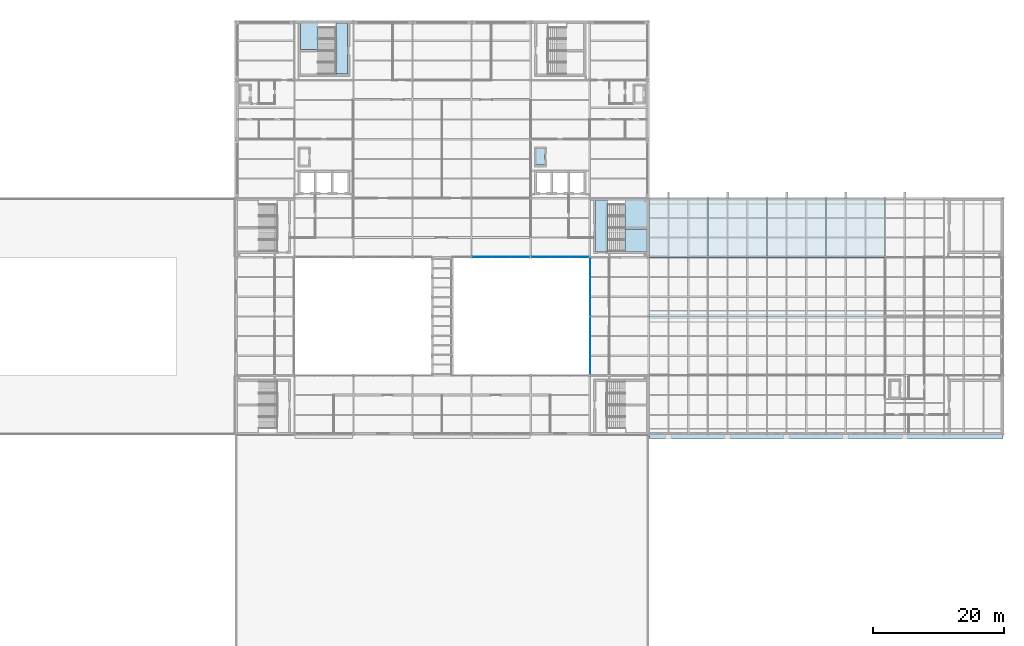
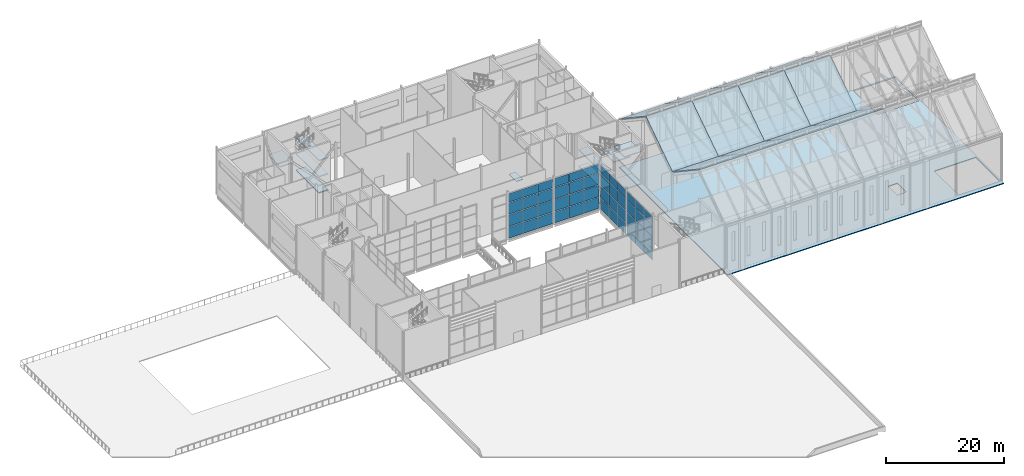
# One storey, part 83 of 111: 48 plates, 24 slabs, 6 elements without a shape of their own.
"""IFC4 building model written with IfcOpenShell, lengths in metres."""

import ifcopenshell
import ifcopenshell.guid

model = None  # the IFC model being written
_history = None  # IfcOwnerHistory: only IFC2X3 demands one
_inside = {}  # id of a spatial element -> (the spatial element, [elements in it])
_under = {}  # id of a project, library or spatial element -> (it, [spatial elements below it])
_declared = {}  # id of a project -> (the project, [libraries it declares])
_typed = {}  # id of a type object -> (the type object, [elements of that type])
_made_of = {}  # id of a material, layer set ... -> (it, [elements and type objects made of it])


def new_model(schema):
    """Start an empty IFC model of exactly this schema.

    Asked for "IFC4X3", IfcOpenShell would pick the latest addendum, in which some entities
    have other attributes; the version numbers below select the first issue.
    IFC2X3 requires an IfcOwnerHistory on every rooted entity: one is made here for all.
    """
    global model, _history
    if schema == "IFC4X3":
        model = ifcopenshell.file(schema_version=(4, 3, 0, 0))
    else:
        model = ifcopenshell.file(schema=schema)
    _inside.clear()
    _under.clear()
    _declared.clear()
    _typed.clear()
    _made_of.clear()
    _history = None
    if model.schema == "IFC2X3":
        org = make("IfcOrganization", Name="unknown")
        user = make(
            "IfcPersonAndOrganization",
            ThePerson=make("IfcPerson", FamilyName="unknown"),
            TheOrganization=org,
        )
        app = make(
            "IfcApplication",
            ApplicationDeveloper=org,
            Version="unknown",
            ApplicationFullName="unknown",
            ApplicationIdentifier="unknown",
        )
        _history = make(
            "IfcOwnerHistory",
            OwningUser=user,
            OwningApplication=app,
            ChangeAction="ADDED",
            CreationDate=0,
        )
    return model


def make(cls, **values):
    """One entity of the class cls with the attributes given. An attribute that is None is left unset."""
    return model.create_entity(
        cls, **{name: value for name, value in values.items() if value is not None}
    )


def rooted(cls, **values):
    """An entity with a GlobalId (a new one), such as an element, a storey or a relation."""
    return make(cls, GlobalId=ifcopenshell.guid.new(), OwnerHistory=_history, **values)


def si_unit(unit_type, name, prefix=None):
    """IfcSIUnit, for example si_unit("LENGTHUNIT", "METRE", prefix="MILLI")."""
    return make("IfcSIUnit", UnitType=unit_type, Prefix=prefix, Name=name)


def assignment(units):
    """IfcUnitAssignment: the units of a project."""
    return None if units is None else make("IfcUnitAssignment", Units=units)


def point(xyz):
    """IfcCartesianPoint."""
    return None if xyz is None else make("IfcCartesianPoint", Coordinates=xyz)


def direction(xyz):
    """IfcDirection."""
    return None if xyz is None else make("IfcDirection", DirectionRatios=xyz)


def frame(location, z_axis=None, x_axis=None):
    """IfcAxis2Placement3D, a coordinate frame: its origin and axes. An axis left out is left unset."""
    return make(
        "IfcAxis2Placement3D",
        Location=point(location),
        Axis=direction(z_axis),
        RefDirection=direction(x_axis),
    )


def frame_2d(location, x_axis=None):
    """IfcAxis2Placement2D, a coordinate frame in the plane: its origin and x axis."""
    return make(
        "IfcAxis2Placement2D", Location=point(location), RefDirection=direction(x_axis)
    )


def origin():
    """The frame at (0, 0, 0) with its axes left unset."""
    return frame((0.0, 0.0, 0.0))


def origin_2d():
    """The frame at (0, 0) in the plane with its x axis left unset."""
    return frame_2d((0.0, 0.0))


def place(relative_to, where):
    """IfcLocalPlacement: puts the frame where relative to a parent placement (None: the world)."""
    return make(
        "IfcLocalPlacement", PlacementRelTo=relative_to, RelativePlacement=where
    )


def context(
    kind, dimensions, precision=None, world=None, true_north=None, identifier=None
):
    """IfcGeometricRepresentationContext, for example the 3D "Model" context."""
    return make(
        "IfcGeometricRepresentationContext",
        ContextIdentifier=identifier,
        ContextType=kind,
        CoordinateSpaceDimension=dimensions,
        Precision=precision,
        WorldCoordinateSystem=world,
        TrueNorth=true_north,
    )


def subcontext(parent, identifier, kind, view, scale=None):
    """IfcGeometricRepresentationSubContext, for example "Body" below "Model"."""
    return make(
        "IfcGeometricRepresentationSubContext",
        ContextIdentifier=identifier,
        ContextType=kind,
        ParentContext=parent,
        TargetScale=scale,
        TargetView=view,
    )


def project(units=None, contexts=None):
    """IfcProject with its units and contexts."""
    return rooted(
        "IfcProject",
        Name="project",
        RepresentationContexts=contexts,
        UnitsInContext=assignment(units),
    )


def spatial(cls, under=None, at=None, **own):
    """A site, building, storey or space (cls), placed at a placement, below another one or the project."""
    s = rooted(cls, ObjectPlacement=at, **own)
    if under is not None:
        _under.setdefault(under.id(), (under, []))[1].append(s)
    return s


def polyline(points):
    """IfcPolyline through the points."""
    return make("IfcPolyline", Points=[point(p) for p in points])


def profile(cls, at=None, kind="AREA", **sizes):
    """A parametric profile (cls). Its sizes go by their IFC names, for example OverallWidth=200.0."""
    return make(cls, ProfileType=kind, Position=at, **sizes)


def rectangle(**sizes):
    """IfcRectangleProfileDef."""
    return profile("IfcRectangleProfileDef", **sizes)


def outline(outer, holes=None, kind="AREA"):
    """IfcArbitraryClosedProfileDef: a profile drawn as a closed curve; with holes, ...WithVoids."""
    if holes is None:
        return make("IfcArbitraryClosedProfileDef", ProfileType=kind, OuterCurve=outer)
    return make(
        "IfcArbitraryProfileDefWithVoids",
        ProfileType=kind,
        OuterCurve=outer,
        InnerCurves=holes,
    )


def extrude(swept, where, along, depth):
    """IfcExtrudedAreaSolid: the profile swept, set in the frame where, extruded along a direction by depth."""
    return make(
        "IfcExtrudedAreaSolid",
        SweptArea=swept,
        Position=where,
        ExtrudedDirection=direction(along),
        Depth=depth,
    )


def shape(context_of_items, identifier, shape_type, items):
    """IfcShapeRepresentation: the items that make up one representation, for example the "Body"."""
    return make(
        "IfcShapeRepresentation",
        ContextOfItems=context_of_items,
        RepresentationIdentifier=identifier,
        RepresentationType=shape_type,
        Items=items,
    )


def material(Name=None, Category=None):
    """IfcMaterial."""
    return make("IfcMaterial", Name=Name, Category=Category)


def layer(
    of_material, thickness, ventilated=None, Name=None, Category=None, Priority=None
):
    """IfcMaterialLayer: one layer of a wall or slab, of a material (None: an air gap)."""
    return make(
        "IfcMaterialLayer",
        Material=of_material,
        LayerThickness=thickness,
        IsVentilated=ventilated,
        Name=Name,
        Category=Category,
        Priority=Priority,
    )


def layer_set(layers, Name=None):
    """IfcMaterialLayerSet."""
    return make("IfcMaterialLayerSet", MaterialLayers=layers, LayerSetName=Name)


def made_of(thing, what):
    """Note that an element or type object is made of a material, layer set ...; save() writes the relation."""
    if what is not None:
        _made_of.setdefault(what.id(), (what, []))[1].append(thing)
    return thing


def type_object(cls, material=None, **own):
    """A type object (cls), such as IfcWallType, which elements share."""
    return made_of(rooted(cls, **own), material)


def element(
    cls,
    number,
    at=None,
    inside=None,
    cuts=None,
    type_object=None,
    material=None,
    context=None,
    identifier="Body",
    shape_type=None,
    held_by="IfcProductDefinitionShape",
    body=None,
    shapes=None,
    **own,
):
    """One element of the class cls, such as IfcWall. Its Tag is "e" and its number.

    at: its placement. inside: the storey or other place that contains it. cuts: it is an
    opening in that element (IfcRelVoidsElement). A single representation is given by context,
    identifier, shape_type and body (its items); several are given by shapes. held_by: the class
    of the entity that holds the representations. save() writes the other relations.
    """
    e = rooted(cls, Tag="e%d" % number, ObjectPlacement=at, **own)
    if body is not None:
        shapes = [shape(context, identifier, shape_type, body)]
    if shapes is not None:
        e.Representation = make(held_by, Representations=shapes)
    if inside is not None:
        _inside.setdefault(inside.id(), (inside, []))[1].append(e)
    if cuts is not None:
        rooted(
            "IfcRelVoidsElement", RelatingBuildingElement=cuts, RelatedOpeningElement=e
        )
    if type_object is not None:
        _typed.setdefault(type_object.id(), (type_object, []))[1].append(e)
    return made_of(e, material)


def aggregate(whole, parts):
    """IfcRelAggregates: a whole, such as a stair, and the parts it consists of."""
    return rooted("IfcRelAggregates", RelatingObject=whole, RelatedObjects=parts)


def save(model, path):
    """Write the relations noted so far, then the file.

    IfcRelAggregates (storeys below a building ...), IfcRelContainedInSpatialStructure (elements
    in a storey), IfcRelDefinesByType, IfcRelAssociatesMaterial and IfcRelDeclares: one each for
    every whole, place, type object, material and project.
    """
    for whole, parts in _under.values():
        aggregate(whole, parts)
    for where, things in _inside.values():
        rooted(
            "IfcRelContainedInSpatialStructure",
            RelatedElements=things,
            RelatingStructure=where,
        )
    for kind, things in _typed.values():
        rooted("IfcRelDefinesByType", RelatedObjects=things, RelatingType=kind)
    for what, things in _made_of.values():
        rooted("IfcRelAssociatesMaterial", RelatedObjects=things, RelatingMaterial=what)
    for by, libraries in _declared.values():
        rooted("IfcRelDeclares", RelatingContext=by, RelatedDefinitions=libraries)
    model.write(path)


model = new_model("IFC4")

# Units and contexts
model_context = context("Model", 3, precision=1e-05, world=origin(), true_north=direction((0.0, 1.0)))
body_context = subcontext(model_context, "Body", "Model", "MODEL_VIEW")
ifc_project = project(units=[si_unit("LENGTHUNIT", "METRE"), si_unit("AREAUNIT", "SQUARE_METRE"), si_unit("VOLUMEUNIT", "CUBIC_METRE"), si_unit("PLANEANGLEUNIT", "RADIAN"), si_unit("MASSUNIT", "GRAM", prefix="KILO")], contexts=[model_context])

# Site, building, storey
site_placement = place(None, origin())
site = spatial("IfcSite", under=ifc_project, at=site_placement, CompositionType="ELEMENT")
building_placement = place(site_placement, origin())
building = spatial("IfcBuilding", under=site, at=building_placement, Name="Shorebreak Coast Museum", CompositionType="ELEMENT")
storey_placement = place(building_placement, frame((0.0, 0.0, 16.0)))
storey = spatial("IfcBuildingStorey", under=building, at=storey_placement, Name="L03", CompositionType="ELEMENT", Elevation=16.0)

# Curtain wall, plates
ifc_material_1 = material(Name="Aluminium", Category="aluminium")
ifc_layer_1 = layer(ifc_material_1, 0.1201171875)
ifc_layer_set_1 = layer_set([ifc_layer_1], Name="Aluminium")
curtain_wall_type = type_object("IfcCurtainWallType", Name="Atrium fire screen", PredefinedType="NOTDEFINED", material=ifc_layer_set_1)
curtain_wall_1_placement = place(storey_placement, origin())
curtain_wall_1 = element("IfcCurtainWall", 1, at=curtain_wall_1_placement, inside=storey, type_object=curtain_wall_type, Name="Atrium screen L03 N 43", PredefinedType="NOTDEFINED")
ifc_material_2 = material(Name="Glass", Category="glass")
ifc_layer_2 = layer(ifc_material_2, 0.034912109375)
ifc_layer_set_2 = layer_set([ifc_layer_2], Name="Glass")
plate_type = type_object("IfcPlateType", Name="Fire-resisting glass panel 35", PredefinedType="CURTAIN_PANEL", material=ifc_layer_set_2)
plate_1_placement = place(storey_placement, frame((91.615478515625, 81.06005859375, 0.1201171875), z_axis=(0.0, 0.0, 1.0), x_axis=(1.0, 0.0, 0.0)))
plate_1 = element("IfcPlate", 2, at=plate_1_placement, type_object=plate_type, Name="CW5 panel 1.1", PredefinedType="CURTAIN_PANEL", context=body_context, shape_type="SweptSolid", body=[
    extrude(rectangle(XDim=2.822021484375, YDim=0.034912109375, at=origin_2d()), origin(), (0.0, 0.0, 1.0), 2.320068359375),
])
plate_2_placement = place(storey_placement, frame((91.615478515625, 81.06005859375, 2.56005859375), z_axis=(0.0, 0.0, 1.0), x_axis=(1.0, 0.0, 0.0)))
plate_2 = element("IfcPlate", 3, at=plate_2_placement, type_object=plate_type, Name="CW5 panel 1.2", PredefinedType="CURTAIN_PANEL", context=body_context, shape_type="SweptSolid", body=[
    extrude(rectangle(XDim=2.822021484375, YDim=0.034912109375, at=origin_2d()), origin(), (0.0, 0.0, 1.0), 2.3798828125),
])
plate_3_placement = place(storey_placement, frame((91.615478515625, 81.06005859375, 5.06005859375), z_axis=(0.0, 0.0, 1.0), x_axis=(1.0, 0.0, 0.0)))
plate_3 = element("IfcPlate", 4, at=plate_3_placement, type_object=plate_type, Name="CW5 panel 1.3", PredefinedType="CURTAIN_PANEL", context=body_context, shape_type="SweptSolid", body=[
    extrude(rectangle(XDim=2.822021484375, YDim=0.034912109375, at=origin_2d()), origin(), (0.0, 0.0, 1.0), 2.3798828125),
])
plate_4_placement = place(storey_placement, frame((91.615478515625, 81.06005859375, 7.56005859375), z_axis=(0.0, 0.0, 1.0), x_axis=(1.0, 0.0, 0.0)))
plate_4 = element("IfcPlate", 5, at=plate_4_placement, type_object=plate_type, Name="CW5 panel 1.4", PredefinedType="CURTAIN_PANEL", context=body_context, shape_type="SweptSolid", body=[
    extrude(rectangle(XDim=2.822021484375, YDim=0.034912109375, at=origin_2d()), origin(), (0.0, 0.0, 1.0), 1.742431640625),
])
plate_5_placement = place(storey_placement, frame((94.5, 81.06005859375, 0.1201171875), z_axis=(0.0, 0.0, 1.0), x_axis=(1.0, 0.0, 0.0)))
plate_5 = element("IfcPlate", 6, at=plate_5_placement, type_object=plate_type, Name="CW5 panel 2.1", PredefinedType="CURTAIN_PANEL", context=body_context, shape_type="SweptSolid", body=[
    extrude(rectangle(XDim=2.846923828125, YDim=0.034912109375, at=origin_2d()), origin(), (0.0, 0.0, 1.0), 2.320068359375),
])
plate_6_placement = place(storey_placement, frame((94.5, 81.06005859375, 2.56005859375), z_axis=(0.0, 0.0, 1.0), x_axis=(1.0, 0.0, 0.0)))
plate_6 = element("IfcPlate", 7, at=plate_6_placement, type_object=plate_type, Name="CW5 panel 2.2", PredefinedType="CURTAIN_PANEL", context=body_context, shape_type="SweptSolid", body=[
    extrude(rectangle(XDim=2.846923828125, YDim=0.034912109375, at=origin_2d()), origin(), (0.0, 0.0, 1.0), 2.3798828125),
])
plate_7_placement = place(storey_placement, frame((94.5, 81.06005859375, 5.06005859375), z_axis=(0.0, 0.0, 1.0), x_axis=(1.0, 0.0, 0.0)))
plate_7 = element("IfcPlate", 8, at=plate_7_placement, type_object=plate_type, Name="CW5 panel 2.3", PredefinedType="CURTAIN_PANEL", context=body_context, shape_type="SweptSolid", body=[
    extrude(rectangle(XDim=2.846923828125, YDim=0.034912109375, at=origin_2d()), origin(), (0.0, 0.0, 1.0), 2.3798828125),
])
plate_8_placement = place(storey_placement, frame((94.5, 81.06005859375, 7.56005859375), z_axis=(0.0, 0.0, 1.0), x_axis=(1.0, 0.0, 0.0)))
plate_8 = element("IfcPlate", 9, at=plate_8_placement, type_object=plate_type, Name="CW5 panel 2.4", PredefinedType="CURTAIN_PANEL", context=body_context, shape_type="SweptSolid", body=[
    extrude(rectangle(XDim=2.846923828125, YDim=0.034912109375, at=origin_2d()), origin(), (0.0, 0.0, 1.0), 1.742431640625),
])
plate_9_placement = place(storey_placement, frame((97.384521484375, 81.06005859375, 0.1201171875), z_axis=(0.0, 0.0, 1.0), x_axis=(1.0, 0.0, 0.0)))
plate_9 = element("IfcPlate", 10, at=plate_9_placement, type_object=plate_type, Name="CW5 panel 3.1", PredefinedType="CURTAIN_PANEL", context=body_context, shape_type="SweptSolid", body=[
    extrude(rectangle(XDim=2.822021484375, YDim=0.034912109375, at=origin_2d()), origin(), (0.0, 0.0, 1.0), 2.320068359375),
])
plate_10_placement = place(storey_placement, frame((97.384521484375, 81.06005859375, 2.56005859375), z_axis=(0.0, 0.0, 1.0), x_axis=(1.0, 0.0, 0.0)))
plate_10 = element("IfcPlate", 11, at=plate_10_placement, type_object=plate_type, Name="CW5 panel 3.2", PredefinedType="CURTAIN_PANEL", context=body_context, shape_type="SweptSolid", body=[
    extrude(rectangle(XDim=2.822021484375, YDim=0.034912109375, at=origin_2d()), origin(), (0.0, 0.0, 1.0), 2.3798828125),
])
plate_11_placement = place(storey_placement, frame((97.384521484375, 81.06005859375, 5.06005859375), z_axis=(0.0, 0.0, 1.0), x_axis=(1.0, 0.0, 0.0)))
plate_11 = element("IfcPlate", 12, at=plate_11_placement, type_object=plate_type, Name="CW5 panel 3.3", PredefinedType="CURTAIN_PANEL", context=body_context, shape_type="SweptSolid", body=[
    extrude(rectangle(XDim=2.822021484375, YDim=0.034912109375, at=origin_2d()), origin(), (0.0, 0.0, 1.0), 2.3798828125),
])
plate_12_placement = place(storey_placement, frame((97.384521484375, 81.06005859375, 7.56005859375), z_axis=(0.0, 0.0, 1.0), x_axis=(1.0, 0.0, 0.0)))
plate_12 = element("IfcPlate", 13, at=plate_12_placement, type_object=plate_type, Name="CW5 panel 3.4", PredefinedType="CURTAIN_PANEL", context=body_context, shape_type="SweptSolid", body=[
    extrude(rectangle(XDim=2.822021484375, YDim=0.034912109375, at=origin_2d()), origin(), (0.0, 0.0, 1.0), 1.742431640625),
])
aggregate(curtain_wall_1, [plate_1, plate_2, plate_3, plate_4, plate_5, plate_6, plate_7, plate_8, plate_9, plate_10, plate_11, plate_12])

curtain_wall_2_placement = place(storey_placement, origin())
curtain_wall_2 = element("IfcCurtainWall", 14, at=curtain_wall_2_placement, inside=storey, type_object=curtain_wall_type, Name="Atrium screen L03 N 44", PredefinedType="NOTDEFINED")
plate_13_placement = place(storey_placement, frame((100.615478515625, 81.06005859375, 0.1201171875), z_axis=(0.0, 0.0, 1.0), x_axis=(1.0, 0.0, 0.0)))
plate_13 = element("IfcPlate", 15, at=plate_13_placement, type_object=plate_type, Name="CW6 panel 1.1", PredefinedType="CURTAIN_PANEL", context=body_context, shape_type="SweptSolid", body=[
    extrude(rectangle(XDim=2.822021484375, YDim=0.034912109375, at=origin_2d()), origin(), (0.0, 0.0, 1.0), 2.320068359375),
])
plate_14_placement = place(storey_placement, frame((100.615478515625, 81.06005859375, 2.56005859375), z_axis=(0.0, 0.0, 1.0), x_axis=(1.0, 0.0, 0.0)))
plate_14 = element("IfcPlate", 16, at=plate_14_placement, type_object=plate_type, Name="CW6 panel 1.2", PredefinedType="CURTAIN_PANEL", context=body_context, shape_type="SweptSolid", body=[
    extrude(rectangle(XDim=2.822021484375, YDim=0.034912109375, at=origin_2d()), origin(), (0.0, 0.0, 1.0), 2.3798828125),
])
plate_15_placement = place(storey_placement, frame((100.615478515625, 81.06005859375, 5.06005859375), z_axis=(0.0, 0.0, 1.0), x_axis=(1.0, 0.0, 0.0)))
plate_15 = element("IfcPlate", 17, at=plate_15_placement, type_object=plate_type, Name="CW6 panel 1.3", PredefinedType="CURTAIN_PANEL", context=body_context, shape_type="SweptSolid", body=[
    extrude(rectangle(XDim=2.822021484375, YDim=0.034912109375, at=origin_2d()), origin(), (0.0, 0.0, 1.0), 2.3798828125),
])
plate_16_placement = place(storey_placement, frame((100.615478515625, 81.06005859375, 7.56005859375), z_axis=(0.0, 0.0, 1.0), x_axis=(1.0, 0.0, 0.0)))
plate_16 = element("IfcPlate", 18, at=plate_16_placement, type_object=plate_type, Name="CW6 panel 1.4", PredefinedType="CURTAIN_PANEL", context=body_context, shape_type="SweptSolid", body=[
    extrude(rectangle(XDim=2.822021484375, YDim=0.034912109375, at=origin_2d()), origin(), (0.0, 0.0, 1.0), 1.742431640625),
])
plate_17_placement = place(storey_placement, frame((103.5, 81.06005859375, 0.1201171875), z_axis=(0.0, 0.0, 1.0), x_axis=(1.0, 0.0, 0.0)))
plate_17 = element("IfcPlate", 19, at=plate_17_placement, type_object=plate_type, Name="CW6 panel 2.1", PredefinedType="CURTAIN_PANEL", context=body_context, shape_type="SweptSolid", body=[
    extrude(rectangle(XDim=2.846923828125, YDim=0.034912109375, at=origin_2d()), origin(), (0.0, 0.0, 1.0), 2.320068359375),
])
plate_18_placement = place(storey_placement, frame((103.5, 81.06005859375, 2.56005859375), z_axis=(0.0, 0.0, 1.0), x_axis=(1.0, 0.0, 0.0)))
plate_18 = element("IfcPlate", 20, at=plate_18_placement, type_object=plate_type, Name="CW6 panel 2.2", PredefinedType="CURTAIN_PANEL", context=body_context, shape_type="SweptSolid", body=[
    extrude(rectangle(XDim=2.846923828125, YDim=0.034912109375, at=origin_2d()), origin(), (0.0, 0.0, 1.0), 2.3798828125),
])
plate_19_placement = place(storey_placement, frame((103.5, 81.06005859375, 5.06005859375), z_axis=(0.0, 0.0, 1.0), x_axis=(1.0, 0.0, 0.0)))
plate_19 = element("IfcPlate", 21, at=plate_19_placement, type_object=plate_type, Name="CW6 panel 2.3", PredefinedType="CURTAIN_PANEL", context=body_context, shape_type="SweptSolid", body=[
    extrude(rectangle(XDim=2.846923828125, YDim=0.034912109375, at=origin_2d()), origin(), (0.0, 0.0, 1.0), 2.3798828125),
])
plate_20_placement = place(storey_placement, frame((103.5, 81.06005859375, 7.56005859375), z_axis=(0.0, 0.0, 1.0), x_axis=(1.0, 0.0, 0.0)))
plate_20 = element("IfcPlate", 22, at=plate_20_placement, type_object=plate_type, Name="CW6 panel 2.4", PredefinedType="CURTAIN_PANEL", context=body_context, shape_type="SweptSolid", body=[
    extrude(rectangle(XDim=2.846923828125, YDim=0.034912109375, at=origin_2d()), origin(), (0.0, 0.0, 1.0), 1.742431640625),
])
plate_21_placement = place(storey_placement, frame((106.384521484375, 81.06005859375, 0.1201171875), z_axis=(0.0, 0.0, 1.0), x_axis=(1.0, 0.0, 0.0)))
plate_21 = element("IfcPlate", 23, at=plate_21_placement, type_object=plate_type, Name="CW6 panel 3.1", PredefinedType="CURTAIN_PANEL", context=body_context, shape_type="SweptSolid", body=[
    extrude(rectangle(XDim=2.822021484375, YDim=0.034912109375, at=origin_2d()), origin(), (0.0, 0.0, 1.0), 2.320068359375),
])
plate_22_placement = place(storey_placement, frame((106.384521484375, 81.06005859375, 2.56005859375), z_axis=(0.0, 0.0, 1.0), x_axis=(1.0, 0.0, 0.0)))
plate_22 = element("IfcPlate", 24, at=plate_22_placement, type_object=plate_type, Name="CW6 panel 3.2", PredefinedType="CURTAIN_PANEL", context=body_context, shape_type="SweptSolid", body=[
    extrude(rectangle(XDim=2.822021484375, YDim=0.034912109375, at=origin_2d()), origin(), (0.0, 0.0, 1.0), 2.3798828125),
])
plate_23_placement = place(storey_placement, frame((106.384521484375, 81.06005859375, 5.06005859375), z_axis=(0.0, 0.0, 1.0), x_axis=(1.0, 0.0, 0.0)))
plate_23 = element("IfcPlate", 25, at=plate_23_placement, type_object=plate_type, Name="CW6 panel 3.3", PredefinedType="CURTAIN_PANEL", context=body_context, shape_type="SweptSolid", body=[
    extrude(rectangle(XDim=2.822021484375, YDim=0.034912109375, at=origin_2d()), origin(), (0.0, 0.0, 1.0), 2.3798828125),
])
plate_24_placement = place(storey_placement, frame((106.384521484375, 81.06005859375, 7.56005859375), z_axis=(0.0, 0.0, 1.0), x_axis=(1.0, 0.0, 0.0)))
plate_24 = element("IfcPlate", 26, at=plate_24_placement, type_object=plate_type, Name="CW6 panel 3.4", PredefinedType="CURTAIN_PANEL", context=body_context, shape_type="SweptSolid", body=[
    extrude(rectangle(XDim=2.822021484375, YDim=0.034912109375, at=origin_2d()), origin(), (0.0, 0.0, 1.0), 1.742431640625),
])
aggregate(curtain_wall_2, [plate_13, plate_14, plate_15, plate_16, plate_17, plate_18, plate_19, plate_20, plate_21, plate_22, plate_23, plate_24])

curtain_wall_3_placement = place(storey_placement, origin())
curtain_wall_3 = element("IfcCurtainWall", 27, at=curtain_wall_3_placement, inside=storey, type_object=curtain_wall_type, Name="Atrium screen L03 E 47", PredefinedType="NOTDEFINED")
plate_25_placement = place(storey_placement, frame((108.06005859375, 64.63427734375, 0.1201171875), z_axis=(0.0, 0.0, 1.0), x_axis=(0.0, 1.0, 0.0)))
plate_25 = element("IfcPlate", 28, at=plate_25_placement, type_object=plate_type, Name="CW6 panel 1.1", PredefinedType="CURTAIN_PANEL", context=body_context, shape_type="SweptSolid", body=[
    extrude(rectangle(XDim=2.81201171875, YDim=0.034912109375, at=origin_2d()), origin(), (0.0, 0.0, 1.0), 2.320068359375),
])
plate_26_placement = place(storey_placement, frame((108.06005859375, 64.63427734375, 2.56005859375), z_axis=(0.0, 0.0, 1.0), x_axis=(0.0, 1.0, 0.0)))
plate_26 = element("IfcPlate", 29, at=plate_26_placement, type_object=plate_type, Name="CW6 panel 1.2", PredefinedType="CURTAIN_PANEL", context=body_context, shape_type="SweptSolid", body=[
    extrude(rectangle(XDim=2.81201171875, YDim=0.034912109375, at=origin_2d()), origin(), (0.0, 0.0, 1.0), 2.3798828125),
])
plate_27_placement = place(storey_placement, frame((108.06005859375, 64.63427734375, 5.06005859375), z_axis=(0.0, 0.0, 1.0), x_axis=(0.0, 1.0, 0.0)))
plate_27 = element("IfcPlate", 30, at=plate_27_placement, type_object=plate_type, Name="CW6 panel 1.3", PredefinedType="CURTAIN_PANEL", context=body_context, shape_type="SweptSolid", body=[
    extrude(rectangle(XDim=2.81201171875, YDim=0.034912109375, at=origin_2d()), origin(), (0.0, 0.0, 1.0), 2.3798828125),
])
plate_28_placement = place(storey_placement, frame((108.06005859375, 64.63427734375, 7.56005859375), z_axis=(0.0, 0.0, 1.0), x_axis=(0.0, 1.0, 0.0)))
plate_28 = element("IfcPlate", 31, at=plate_28_placement, type_object=plate_type, Name="CW6 panel 1.4", PredefinedType="CURTAIN_PANEL", context=body_context, shape_type="SweptSolid", body=[
    extrude(rectangle(XDim=2.81201171875, YDim=0.034912109375, at=origin_2d()), origin(), (0.0, 0.0, 1.0), 1.61669921875),
])
plate_29_placement = place(storey_placement, frame((108.06005859375, 67.509033203125, 0.1201171875), z_axis=(0.0, 0.0, 1.0), x_axis=(0.0, 1.0, 0.0)))
plate_29 = element("IfcPlate", 32, at=plate_29_placement, type_object=plate_type, Name="CW6 panel 2.1", PredefinedType="CURTAIN_PANEL", context=body_context, shape_type="SweptSolid", body=[
    extrude(rectangle(XDim=2.837158203125, YDim=0.034912109375, at=origin_2d()), origin(), (0.0, 0.0, 1.0), 2.320068359375),
])
plate_30_placement = place(storey_placement, frame((108.06005859375, 67.509033203125, 2.56005859375), z_axis=(0.0, 0.0, 1.0), x_axis=(0.0, 1.0, 0.0)))
plate_30 = element("IfcPlate", 33, at=plate_30_placement, type_object=plate_type, Name="CW6 panel 2.2", PredefinedType="CURTAIN_PANEL", context=body_context, shape_type="SweptSolid", body=[
    extrude(rectangle(XDim=2.837158203125, YDim=0.034912109375, at=origin_2d()), origin(), (0.0, 0.0, 1.0), 2.3798828125),
])
plate_31_placement = place(storey_placement, frame((108.06005859375, 67.509033203125, 5.06005859375), z_axis=(0.0, 0.0, 1.0), x_axis=(0.0, 1.0, 0.0)))
plate_31 = element("IfcPlate", 34, at=plate_31_placement, type_object=plate_type, Name="CW6 panel 2.3", PredefinedType="CURTAIN_PANEL", context=body_context, shape_type="SweptSolid", body=[
    extrude(rectangle(XDim=2.837158203125, YDim=0.034912109375, at=origin_2d()), origin(), (0.0, 0.0, 1.0), 2.3798828125),
])
plate_32_placement = place(storey_placement, frame((108.06005859375, 67.509033203125, 7.56005859375), z_axis=(0.0, 0.0, 1.0), x_axis=(0.0, 1.0, 0.0)))
plate_32 = element("IfcPlate", 35, at=plate_32_placement, type_object=plate_type, Name="CW6 panel 2.4", PredefinedType="CURTAIN_PANEL", context=body_context, shape_type="SweptSolid", body=[
    extrude(rectangle(XDim=2.837158203125, YDim=0.034912109375, at=origin_2d()), origin(), (0.0, 0.0, 1.0), 1.61669921875),
])
plate_33_placement = place(storey_placement, frame((108.06005859375, 70.383544921875, 0.1201171875), z_axis=(0.0, 0.0, 1.0), x_axis=(0.0, 1.0, 0.0)))
plate_33 = element("IfcPlate", 36, at=plate_33_placement, type_object=plate_type, Name="CW6 panel 3.1", PredefinedType="CURTAIN_PANEL", context=body_context, shape_type="SweptSolid", body=[
    extrude(rectangle(XDim=2.81201171875, YDim=0.034912109375, at=origin_2d()), origin(), (0.0, 0.0, 1.0), 2.320068359375),
])
plate_34_placement = place(storey_placement, frame((108.06005859375, 70.383544921875, 2.56005859375), z_axis=(0.0, 0.0, 1.0), x_axis=(0.0, 1.0, 0.0)))
plate_34 = element("IfcPlate", 37, at=plate_34_placement, type_object=plate_type, Name="CW6 panel 3.2", PredefinedType="CURTAIN_PANEL", context=body_context, shape_type="SweptSolid", body=[
    extrude(rectangle(XDim=2.81201171875, YDim=0.034912109375, at=origin_2d()), origin(), (0.0, 0.0, 1.0), 2.3798828125),
])
plate_35_placement = place(storey_placement, frame((108.06005859375, 70.383544921875, 5.06005859375), z_axis=(0.0, 0.0, 1.0), x_axis=(0.0, 1.0, 0.0)))
plate_35 = element("IfcPlate", 38, at=plate_35_placement, type_object=plate_type, Name="CW6 panel 3.3", PredefinedType="CURTAIN_PANEL", context=body_context, shape_type="SweptSolid", body=[
    extrude(rectangle(XDim=2.81201171875, YDim=0.034912109375, at=origin_2d()), origin(), (0.0, 0.0, 1.0), 2.3798828125),
])
plate_36_placement = place(storey_placement, frame((108.06005859375, 70.383544921875, 7.56005859375), z_axis=(0.0, 0.0, 1.0), x_axis=(0.0, 1.0, 0.0)))
plate_36 = element("IfcPlate", 39, at=plate_36_placement, type_object=plate_type, Name="CW6 panel 3.4", PredefinedType="CURTAIN_PANEL", context=body_context, shape_type="SweptSolid", body=[
    extrude(rectangle(XDim=2.81201171875, YDim=0.034912109375, at=origin_2d()), origin(), (0.0, 0.0, 1.0), 1.61669921875),
])
aggregate(curtain_wall_3, [plate_25, plate_26, plate_27, plate_28, plate_29, plate_30, plate_31, plate_32, plate_33, plate_34, plate_35, plate_36])

curtain_wall_4_placement = place(storey_placement, origin())
curtain_wall_4 = element("IfcCurtainWall", 40, at=curtain_wall_4_placement, inside=storey, type_object=curtain_wall_type, Name="Atrium screen L03 E 48", PredefinedType="NOTDEFINED")
plate_37_placement = place(storey_placement, frame((108.06005859375, 73.616455078125, 0.1201171875), z_axis=(0.0, 0.0, 1.0), x_axis=(0.0, 1.0, 0.0)))
plate_37 = element("IfcPlate", 41, at=plate_37_placement, type_object=plate_type, Name="CW4 panel 1.1", PredefinedType="CURTAIN_PANEL", context=body_context, shape_type="SweptSolid", body=[
    extrude(rectangle(XDim=2.81201171875, YDim=0.034912109375, at=origin_2d()), origin(), (0.0, 0.0, 1.0), 2.320068359375),
])
plate_38_placement = place(storey_placement, frame((108.06005859375, 73.616455078125, 2.56005859375), z_axis=(0.0, 0.0, 1.0), x_axis=(0.0, 1.0, 0.0)))
plate_38 = element("IfcPlate", 42, at=plate_38_placement, type_object=plate_type, Name="CW4 panel 1.2", PredefinedType="CURTAIN_PANEL", context=body_context, shape_type="SweptSolid", body=[
    extrude(rectangle(XDim=2.81201171875, YDim=0.034912109375, at=origin_2d()), origin(), (0.0, 0.0, 1.0), 2.3798828125),
])
plate_39_placement = place(storey_placement, frame((108.06005859375, 73.616455078125, 5.06005859375), z_axis=(0.0, 0.0, 1.0), x_axis=(0.0, 1.0, 0.0)))
plate_39 = element("IfcPlate", 43, at=plate_39_placement, type_object=plate_type, Name="CW4 panel 1.3", PredefinedType="CURTAIN_PANEL", context=body_context, shape_type="SweptSolid", body=[
    extrude(rectangle(XDim=2.81201171875, YDim=0.034912109375, at=origin_2d()), origin(), (0.0, 0.0, 1.0), 2.3798828125),
])
plate_40_placement = place(storey_placement, frame((108.06005859375, 73.616455078125, 7.56005859375), z_axis=(0.0, 0.0, 1.0), x_axis=(0.0, 1.0, 0.0)))
plate_40 = element("IfcPlate", 44, at=plate_40_placement, type_object=plate_type, Name="CW4 panel 1.4", PredefinedType="CURTAIN_PANEL", context=body_context, shape_type="SweptSolid", body=[
    extrude(rectangle(XDim=2.81201171875, YDim=0.034912109375, at=origin_2d()), origin(), (0.0, 0.0, 1.0), 1.61669921875),
])
plate_41_placement = place(storey_placement, frame((108.06005859375, 76.490966796875, 0.1201171875), z_axis=(0.0, 0.0, 1.0), x_axis=(0.0, 1.0, 0.0)))
plate_41 = element("IfcPlate", 45, at=plate_41_placement, type_object=plate_type, Name="CW4 panel 2.1", PredefinedType="CURTAIN_PANEL", context=body_context, shape_type="SweptSolid", body=[
    extrude(rectangle(XDim=2.837158203125, YDim=0.034912109375, at=origin_2d()), origin(), (0.0, 0.0, 1.0), 2.320068359375),
])
plate_42_placement = place(storey_placement, frame((108.06005859375, 76.490966796875, 2.56005859375), z_axis=(0.0, 0.0, 1.0), x_axis=(0.0, 1.0, 0.0)))
plate_42 = element("IfcPlate", 46, at=plate_42_placement, type_object=plate_type, Name="CW4 panel 2.2", PredefinedType="CURTAIN_PANEL", context=body_context, shape_type="SweptSolid", body=[
    extrude(rectangle(XDim=2.837158203125, YDim=0.034912109375, at=origin_2d()), origin(), (0.0, 0.0, 1.0), 2.3798828125),
])
plate_43_placement = place(storey_placement, frame((108.06005859375, 76.490966796875, 5.06005859375), z_axis=(0.0, 0.0, 1.0), x_axis=(0.0, 1.0, 0.0)))
plate_43 = element("IfcPlate", 47, at=plate_43_placement, type_object=plate_type, Name="CW4 panel 2.3", PredefinedType="CURTAIN_PANEL", context=body_context, shape_type="SweptSolid", body=[
    extrude(rectangle(XDim=2.837158203125, YDim=0.034912109375, at=origin_2d()), origin(), (0.0, 0.0, 1.0), 2.3798828125),
])
plate_44_placement = place(storey_placement, frame((108.06005859375, 76.490966796875, 7.56005859375), z_axis=(0.0, 0.0, 1.0), x_axis=(0.0, 1.0, 0.0)))
plate_44 = element("IfcPlate", 48, at=plate_44_placement, type_object=plate_type, Name="CW4 panel 2.4", PredefinedType="CURTAIN_PANEL", context=body_context, shape_type="SweptSolid", body=[
    extrude(rectangle(XDim=2.837158203125, YDim=0.034912109375, at=origin_2d()), origin(), (0.0, 0.0, 1.0), 1.61669921875),
])
plate_45_placement = place(storey_placement, frame((108.06005859375, 79.36572265625, 0.1201171875), z_axis=(0.0, 0.0, 1.0), x_axis=(0.0, 1.0, 0.0)))
plate_45 = element("IfcPlate", 49, at=plate_45_placement, type_object=plate_type, Name="CW4 panel 3.1", PredefinedType="CURTAIN_PANEL", context=body_context, shape_type="SweptSolid", body=[
    extrude(rectangle(XDim=2.81201171875, YDim=0.034912109375, at=origin_2d()), origin(), (0.0, 0.0, 1.0), 2.320068359375),
])
plate_46_placement = place(storey_placement, frame((108.06005859375, 79.36572265625, 2.56005859375), z_axis=(0.0, 0.0, 1.0), x_axis=(0.0, 1.0, 0.0)))
plate_46 = element("IfcPlate", 50, at=plate_46_placement, type_object=plate_type, Name="CW4 panel 3.2", PredefinedType="CURTAIN_PANEL", context=body_context, shape_type="SweptSolid", body=[
    extrude(rectangle(XDim=2.81201171875, YDim=0.034912109375, at=origin_2d()), origin(), (0.0, 0.0, 1.0), 2.3798828125),
])
plate_47_placement = place(storey_placement, frame((108.06005859375, 79.36572265625, 5.06005859375), z_axis=(0.0, 0.0, 1.0), x_axis=(0.0, 1.0, 0.0)))
plate_47 = element("IfcPlate", 51, at=plate_47_placement, type_object=plate_type, Name="CW4 panel 3.3", PredefinedType="CURTAIN_PANEL", context=body_context, shape_type="SweptSolid", body=[
    extrude(rectangle(XDim=2.81201171875, YDim=0.034912109375, at=origin_2d()), origin(), (0.0, 0.0, 1.0), 2.3798828125),
])
plate_48_placement = place(storey_placement, frame((108.06005859375, 79.36572265625, 7.56005859375), z_axis=(0.0, 0.0, 1.0), x_axis=(0.0, 1.0, 0.0)))
plate_48 = element("IfcPlate", 52, at=plate_48_placement, type_object=plate_type, Name="CW4 panel 3.4", PredefinedType="CURTAIN_PANEL", context=body_context, shape_type="SweptSolid", body=[
    extrude(rectangle(XDim=2.81201171875, YDim=0.034912109375, at=origin_2d()), origin(), (0.0, 0.0, 1.0), 1.61669921875),
])
aggregate(curtain_wall_4, [plate_37, plate_38, plate_39, plate_40, plate_41, plate_42, plate_43, plate_44, plate_45, plate_46, plate_47, plate_48])

# Slabs
ifc_material_3 = material(Name="Concrete N40 (40 MPa)", Category="concrete")
ifc_layer_3 = layer(ifc_material_3, 0.175048828125)
ifc_layer_set_3 = layer_set([ifc_layer_3], Name="Concrete N40 (40 MPa)")
slab_type_1 = type_object("IfcSlabType", Name="Floor slab 175 concrete N40", PredefinedType="FLOOR", material=ifc_layer_set_3)
slab_1_placement = place(storey_placement, frame((0.0, 0.0, -0.175048828125)))
element("IfcSlab", 53, at=slab_1_placement, inside=storey, type_object=slab_type_1, Name="Floor slab L03 east arm", PredefinedType="FLOOR", context=body_context, shape_type="SweptSolid", body=[
    extrude(outline(polyline([(171.0, 53.39990234375), (171.0, 54.0), (171.0, 90.0), (117.0, 90.0), (117.0, 54.0), (117.0, 53.39990234375), (171.0, 53.39990234375)]), holes=[polyline([(153.60009765625, 59.39990234375), (153.60009765625, 62.39990234375), (155.39990234375, 62.39990234375), (155.39990234375, 59.39990234375), (153.60009765625, 59.39990234375)]), polyline([(162.60009765625, 62.39990234375), (170.699951171875, 62.39990234375), (170.699951171875, 54.300048828125), (162.60009765625, 54.300048828125), (162.60009765625, 62.39990234375)]), polyline([(170.699951171875, 89.699951171875), (170.699951171875, 81.60009765625), (162.60009765625, 81.60009765625), (162.60009765625, 89.699951171875), (170.699951171875, 89.699951171875)])]), origin(), (0.0, 0.0, 1.0), 0.175048828125),
])
ifc_material_4 = material(Name="Concrete N40 (40 MPa)", Category="concrete")
ifc_layer_4 = layer(ifc_material_4, 0.10009765625)
ifc_layer_set_4 = layer_set([ifc_layer_4], Name="Concrete N40 (40 MPa)")
slab_type_2 = type_object("IfcSlabType", Name="Riser platform 100", PredefinedType="USERDEFINED", material=ifc_layer_set_4)
slab_2_placement = place(storey_placement, frame((0.0, 0.0, -0.10009765625)))
element("IfcSlab", 54, at=slab_2_placement, inside=storey, type_object=slab_type_2, Name="Riser platform R-LBE L03", ObjectType="RISER PLATFORM", PredefinedType="USERDEFINED", context=body_context, shape_type="SweptSolid", body=[
    extrude(outline(polyline([(99.85009765625, 95.050048828125), (101.14990234375, 95.050048828125), (101.14990234375, 97.550048828125), (99.85009765625, 97.550048828125), (99.85009765625, 95.050048828125)])), origin(), (0.0, 0.0, 1.0), 0.10009765625),
])
ifc_material_5 = material(Name="Concrete N50 (50 MPa)", Category="concrete")
ifc_layer_5 = layer(ifc_material_5, 0.199951171875)
ifc_layer_set_5 = layer_set([ifc_layer_5], Name="Concrete N50 (50 MPa)")
slab_type_3 = type_object("IfcSlabType", Name="Roof slab folded plate 200 concrete N50", PredefinedType="ROOF", material=ifc_layer_set_5)
for number, where, z_axis, x_axis, name in (
    (55, (117.0, 63.0, 16.0), (0.0, 0.554700196225, 0.832050294338), (1.0, 0.0, 0.0), "Folded roof slab FOLD-E-P07"),
    (56, (126.0, 63.0, 16.0), (0.0, 0.554700196225, 0.832050294338), (1.0, 0.0, 0.0), "Folded roof slab FOLD-E-P08"),
    (57, (135.0, 63.0, 16.0), (0.0, 0.554700196225, 0.832050294338), (1.0, 0.0, 0.0), "Folded roof slab FOLD-E-P09"),
    (58, (144.0, 63.0, 16.0), (0.0, 0.554700196225, 0.832050294338), (1.0, 0.0, 0.0), "Folded roof slab FOLD-E-P10"),
    (59, (117.0, 72.0, 10.0), (0.0, -0.554700196225, 0.832050294338), (1.0, 0.0, 0.0), "Folded roof slab FOLD-E-P13"),
    (60, (126.0, 72.0, 10.0), (0.0, -0.554700196225, 0.832050294338), (1.0, 0.0, 0.0), "Folded roof slab FOLD-E-P14"),
    (61, (135.0, 72.0, 10.0), (0.0, -0.554700196225, 0.832050294338), (1.0, 0.0, 0.0), "Folded roof slab FOLD-E-P15"),
    (62, (144.0, 72.0, 10.0), (0.0, -0.554700196225, 0.832050294338), (1.0, 0.0, 0.0), "Folded roof slab FOLD-E-P16"),
    (63, (117.0, 81.0, 16.0), (0.0, 0.554700196225, 0.832050294338), (1.0, 0.0, 0.0), "Folded roof slab FOLD-E-P19"),
    (64, (126.0, 81.0, 16.0), (0.0, 0.554700196225, 0.832050294338), (1.0, 0.0, 0.0), "Folded roof slab FOLD-E-P20"),
    (65, (135.0, 81.0, 16.0), (0.0, 0.554700196225, 0.832050294338), (1.0, 0.0, 0.0), "Folded roof slab FOLD-E-P21"),
    (66, (144.0, 81.0, 16.0), (0.0, 0.554700196225, 0.832050294338), (1.0, 0.0, 0.0), "Folded roof slab FOLD-E-P22"),
):
    element("IfcSlab", number, at=place(storey_placement, frame(where, z_axis=z_axis, x_axis=x_axis)), inside=storey, type_object=slab_type_3, Name=name, PredefinedType="ROOF", context=body_context, shape_type="SweptSolid", body=[
        extrude(outline(polyline([(0.0, 0.0), (9.0, 0.0), (9.0, 10.816653826391969), (0.0, 10.816653826391969), (0.0, 0.0)])), origin(), (0.0, 0.0, -1.0), 0.199951171875),
    ])

# Stair, slabs
ifc_material_6 = material(Name="Concrete N40 (40 MPa)", Category="concrete")
stair_type = type_object("IfcStairType", Name="Stair run 10 m", PredefinedType="DOUBLE_RETURN_STAIR", material=ifc_material_6)
stair_1_placement = place(storey_placement, origin())
stair_1 = element("IfcStair", 67, at=stair_1_placement, inside=storey, type_object=stair_type, Name="Exit stair ST04-L03", PredefinedType="DOUBLE_RETURN_STAIR")
ifc_material_7 = material(Name="Concrete N40 (40 MPa)", Category="concrete")
ifc_layer_6 = layer(ifc_material_7, 0.199951171875)
ifc_layer_set_6 = layer_set([ifc_layer_6], Name="Concrete N40 (40 MPa)")
slab_type_4 = type_object("IfcSlabType", Name="Stair landing 200", PredefinedType="LANDING", material=ifc_layer_set_6)
slab_3_placement = place(storey_placement, frame((0.0, 0.0, -0.199951171875)))
slab_3 = element("IfcSlab", 68, at=slab_3_placement, type_object=slab_type_4, Name="ST04-L03 landing 1", PredefinedType="LANDING", context=body_context, shape_type="SweptSolid", body=[
    extrude(outline(polyline([(108.89990234375, 81.89990234375), (110.699951171875, 81.89990234375), (110.699951171875, 89.699951171875), (108.89990234375, 89.699951171875), (108.89990234375, 81.89990234375)])), origin(), (0.0, 0.0, 1.0), 0.199951171875),
])
slab_4_placement = place(storey_placement, frame((0.0, 0.0, 3.13330078125)))
slab_4 = element("IfcSlab", 69, at=slab_4_placement, type_object=slab_type_4, Name="ST04-L03 landing 2", PredefinedType="LANDING", context=body_context, shape_type="SweptSolid", body=[
    extrude(outline(polyline([(108.89990234375, 81.89990234375), (110.699951171875, 81.89990234375), (110.699951171875, 89.699951171875), (108.89990234375, 89.699951171875), (108.89990234375, 81.89990234375)])), origin(), (0.0, 0.0, 1.0), 0.199951171875),
])
slab_5_placement = place(storey_placement, frame((0.0, 0.0, 6.466796875)))
slab_5 = element("IfcSlab", 70, at=slab_5_placement, type_object=slab_type_4, Name="ST04-L03 landing 3", PredefinedType="LANDING", context=body_context, shape_type="SweptSolid", body=[
    extrude(outline(polyline([(108.89990234375, 81.89990234375), (110.699951171875, 81.89990234375), (110.699951171875, 89.699951171875), (108.89990234375, 89.699951171875), (108.89990234375, 81.89990234375)])), origin(), (0.0, 0.0, 1.0), 0.199951171875),
])
slab_6_placement = place(storey_placement, frame((0.0, 0.0, 1.466796875)))
slab_6 = element("IfcSlab", 71, at=slab_6_placement, type_object=slab_type_4, Name="ST04-L03 landing 4", PredefinedType="LANDING", context=body_context, shape_type="SweptSolid", body=[
    extrude(outline(polyline([(113.39990234375, 81.89990234375), (116.699951171875, 81.89990234375), (116.699951171875, 85.35009765625), (113.39990234375, 85.35009765625), (113.39990234375, 81.89990234375)])), origin(), (0.0, 0.0, 1.0), 0.199951171875),
])
slab_7_placement = place(storey_placement, frame((0.0, 0.0, 4.800048828125)))
slab_7 = element("IfcSlab", 72, at=slab_7_placement, type_object=slab_type_4, Name="ST04-L03 landing 5", PredefinedType="LANDING", context=body_context, shape_type="SweptSolid", body=[
    extrude(outline(polyline([(113.39990234375, 85.64990234375), (116.699951171875, 85.64990234375), (116.699951171875, 89.699951171875), (113.39990234375, 89.699951171875), (113.39990234375, 85.64990234375)])), origin(), (0.0, 0.0, 1.0), 0.199951171875),
])
slab_8_placement = place(storey_placement, frame((0.0, 0.0, 8.13330078125)))
slab_8 = element("IfcSlab", 73, at=slab_8_placement, type_object=slab_type_4, Name="ST04-L03 landing 6", PredefinedType="LANDING", context=body_context, shape_type="SweptSolid", body=[
    extrude(outline(polyline([(113.39990234375, 81.89990234375), (116.699951171875, 81.89990234375), (116.699951171875, 85.35009765625), (113.39990234375, 85.35009765625), (113.39990234375, 81.89990234375)])), origin(), (0.0, 0.0, 1.0), 0.199951171875),
])
aggregate(stair_1, [slab_3, slab_4, slab_5, slab_6, slab_7, slab_8])

stair_2_placement = place(storey_placement, origin())
stair_2 = element("IfcStair", 74, at=stair_2_placement, inside=storey, type_object=stair_type, Name="Exit stair ST09-L03", PredefinedType="DOUBLE_RETURN_STAIR")
slab_9_placement = place(storey_placement, frame((0.0, 0.0, -0.199951171875)))
slab_9 = element("IfcSlab", 75, at=slab_9_placement, type_object=slab_type_4, Name="ST09-L03 landing 1", PredefinedType="LANDING", context=body_context, shape_type="SweptSolid", body=[
    extrude(outline(polyline([(69.300048828125, 108.89990234375), (71.10009765625, 108.89990234375), (71.10009765625, 116.699951171875), (69.300048828125, 116.699951171875), (69.300048828125, 108.89990234375)])), origin(), (0.0, 0.0, 1.0), 0.199951171875),
])
slab_10_placement = place(storey_placement, frame((0.0, 0.0, 3.13330078125)))
slab_10 = element("IfcSlab", 76, at=slab_10_placement, type_object=slab_type_4, Name="ST09-L03 landing 2", PredefinedType="LANDING", context=body_context, shape_type="SweptSolid", body=[
    extrude(outline(polyline([(69.300048828125, 108.89990234375), (71.10009765625, 108.89990234375), (71.10009765625, 116.699951171875), (69.300048828125, 116.699951171875), (69.300048828125, 108.89990234375)])), origin(), (0.0, 0.0, 1.0), 0.199951171875),
])
slab_11_placement = place(storey_placement, frame((0.0, 0.0, 6.466796875)))
slab_11 = element("IfcSlab", 77, at=slab_11_placement, type_object=slab_type_4, Name="ST09-L03 landing 3", PredefinedType="LANDING", context=body_context, shape_type="SweptSolid", body=[
    extrude(outline(polyline([(69.300048828125, 108.89990234375), (71.10009765625, 108.89990234375), (71.10009765625, 116.699951171875), (69.300048828125, 116.699951171875), (69.300048828125, 108.89990234375)])), origin(), (0.0, 0.0, 1.0), 0.199951171875),
])
slab_12_placement = place(storey_placement, frame((0.0, 0.0, 4.800048828125)))
slab_12 = element("IfcSlab", 78, at=slab_12_placement, type_object=slab_type_4, Name="ST09-L03 landing 5", PredefinedType="LANDING", context=body_context, shape_type="SweptSolid", body=[
    extrude(outline(polyline([(63.89990234375, 112.64990234375), (66.60009765625, 112.64990234375), (66.60009765625, 116.699951171875), (63.89990234375, 116.699951171875), (63.89990234375, 112.64990234375)])), origin(), (0.0, 0.0, 1.0), 0.199951171875),
])
aggregate(stair_2, [slab_9, slab_10, slab_11, slab_12])

save(model, "model.ifc")
